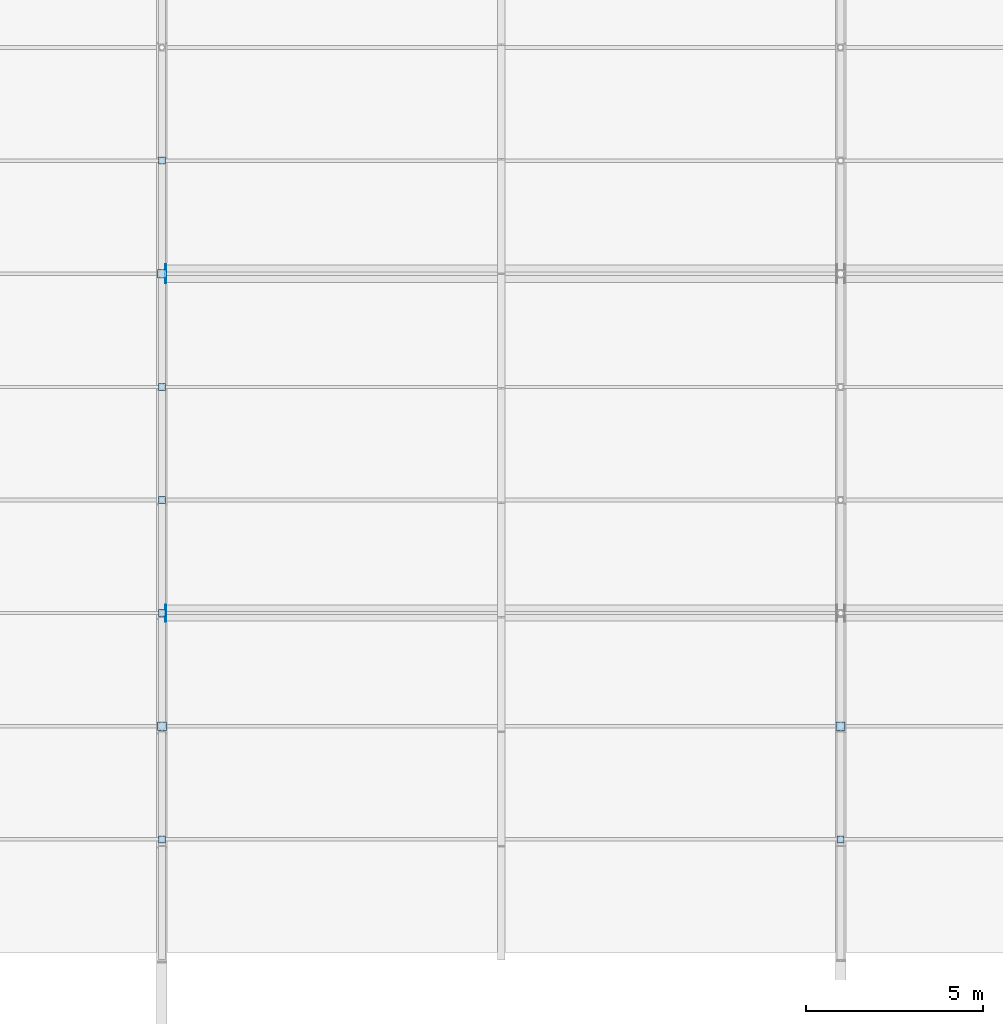
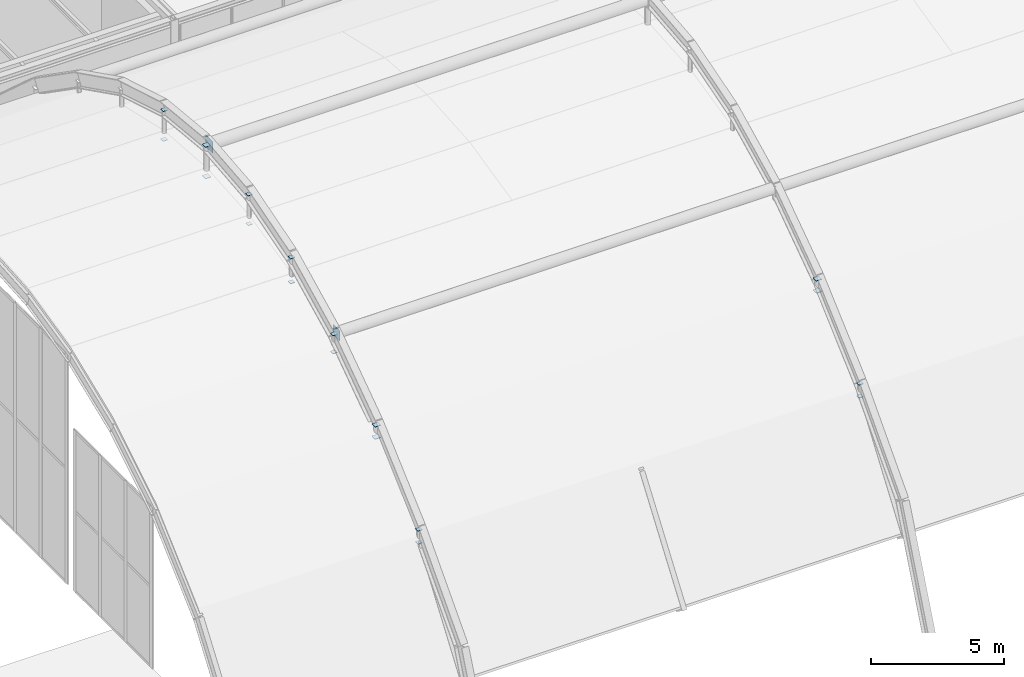
# One storey, part 111 of 126: 20 plates.
"""IFC4 building model written with IfcOpenShell, lengths in metres."""

from ifc_helpers import new_model, si_unit, direction, frame, origin, origin_2d, place, context, subcontext, project, spatial, rectangle, extrude, material, layer, layer_set, type_object, element, save


model = new_model("IFC4")

# Units and contexts
model_context = context("Model", 3, precision=1e-05, world=origin(), true_north=direction((0.0, 1.0)))
body_context = subcontext(model_context, "Body", "Model", "MODEL_VIEW")
ifc_project = project(units=[si_unit("LENGTHUNIT", "METRE"), si_unit("AREAUNIT", "SQUARE_METRE"), si_unit("VOLUMEUNIT", "CUBIC_METRE"), si_unit("PLANEANGLEUNIT", "RADIAN"), si_unit("MASSUNIT", "GRAM", prefix="KILO")], contexts=[model_context])

# Site, building, storey
site_placement = place(None, origin())
site = spatial("IfcSite", under=ifc_project, at=site_placement, CompositionType="ELEMENT")
building_placement = place(site_placement, origin())
building = spatial("IfcBuilding", under=site, at=building_placement, Name="Coralgate Yard Interchange", CompositionType="ELEMENT")
storey_placement = place(building_placement, frame((0.0, 0.0, 10.5)))
storey = spatial("IfcBuildingStorey", under=building, at=storey_placement, Name="L02", CompositionType="ELEMENT", Elevation=10.5)

# Plates
ifc_material = material(Name="Yellow-ochre weather-coated structural steel S355J2", Category="steel")
ifc_layer = layer(ifc_material, 0.02392578125)
ifc_layer_set = layer_set([ifc_layer], Name="Yellow-ochre weather-coated structural steel S355J2")
plate_type = type_object("IfcPlateType", Name="PLT-EP-24", PredefinedType="USERDEFINED", material=ifc_layer_set)
for number, where, z_axis, x_axis, name in (
    (1, (48.0, 41.60009765625, 5.11181640625), (0.0, 0.0, 1.0), (1.0, 0.0, 0.0), "Steel hollow section end cap plate CAP-HGR-1-01-T"),
    (2, (48.0, 41.60009765625, 4.5380859375), (0.0, 0.0, -1.0), (1.0, 0.0, 0.0), "Steel hollow section end cap plate CAP-HGR-1-01-B"),
):
    element("IfcPlate", number, at=place(storey_placement, frame(where, z_axis=z_axis, x_axis=x_axis)), inside=storey, type_object=plate_type, Name=name, ObjectType="CAP PLATE", PredefinedType="USERDEFINED", context=body_context, shape_type="SweptSolid", body=[
        extrude(rectangle(XDim=0.197998046875, YDim=0.197998046875, at=origin_2d()), origin(), (0.0, 0.0, 1.0), 0.02392578125),
    ])
for number, where, z_axis, x_axis, name in (
    (3, (48.0, 44.800048828125, 7.98681640625), (0.0, 0.0, 1.0), (1.0, 0.0, 0.0), "Steel hollow section end cap plate CAP-HGR-1-02-T"),
    (4, (48.0, 44.800048828125, 7.451171875), (0.0, 0.0, -1.0), (1.0, 0.0, 0.0), "Steel hollow section end cap plate CAP-HGR-1-02-B"),
):
    element("IfcPlate", number, at=place(storey_placement, frame(where, z_axis=z_axis, x_axis=x_axis)), inside=storey, type_object=plate_type, Name=name, ObjectType="CAP PLATE", PredefinedType="USERDEFINED", context=body_context, shape_type="SweptSolid", body=[
        extrude(rectangle(XDim=0.2490234375, YDim=0.2490234375, at=origin_2d()), origin(), (0.0, 0.0, 1.0), 0.02392578125),
    ])
for number, where, z_axis, x_axis, name in (
    (5, (48.0, 48.0, 10.22314453125), (0.0, 0.0, 1.0), (1.0, 0.0, 0.0), "Steel hollow section end cap plate CAP-HGR-1-03-T"),
    (6, (48.0, 48.0, 9.41455078125), (0.0, 0.0, -1.0), (1.0, 0.0, 0.0), "Steel hollow section end cap plate CAP-HGR-1-03-B"),
    (7, (48.0, 51.199951171875, 11.8203125), (0.0, 0.0, 1.0), (1.0, 0.0, 0.0), "Steel hollow section end cap plate CAP-HGR-1-04-T"),
    (8, (48.0, 51.199951171875, 10.7021484375), (0.0, 0.0, -1.0), (1.0, 0.0, 0.0), "Steel hollow section end cap plate CAP-HGR-1-04-B"),
    (9, (48.0, 54.39990234375, 12.778564453125), (0.0, 0.0, 1.0), (1.0, 0.0, 0.0), "Steel hollow section end cap plate CAP-HGR-1-05-T"),
    (10, (48.0, 54.39990234375, 11.437255859375), (0.0, 0.0, -1.0), (1.0, 0.0, 0.0), "Steel hollow section end cap plate CAP-HGR-1-05-B"),
):
    element("IfcPlate", number, at=place(storey_placement, frame(where, z_axis=z_axis, x_axis=x_axis)), inside=storey, type_object=plate_type, Name=name, ObjectType="CAP PLATE", PredefinedType="USERDEFINED", context=body_context, shape_type="SweptSolid", body=[
        extrude(rectangle(XDim=0.197998046875, YDim=0.197998046875, at=origin_2d()), origin(), (0.0, 0.0, 1.0), 0.02392578125),
    ])
for number, where, z_axis, x_axis, name in (
    (11, (48.0, 57.60009765625, 13.09814453125), (0.0, 0.0, 1.0), (1.0, 0.0, 0.0), "Steel hollow section end cap plate CAP-HGR-1-06-T"),
    (12, (48.0, 57.60009765625, 11.6767578125), (0.0, 0.0, -1.0), (1.0, 0.0, 0.0), "Steel hollow section end cap plate CAP-HGR-1-06-B"),
):
    element("IfcPlate", number, at=place(storey_placement, frame(where, z_axis=z_axis, x_axis=x_axis)), inside=storey, type_object=plate_type, Name=name, ObjectType="CAP PLATE", PredefinedType="USERDEFINED", context=body_context, shape_type="SweptSolid", body=[
        extrude(rectangle(XDim=0.2490234375, YDim=0.2490234375, at=origin_2d()), origin(), (0.0, 0.0, 1.0), 0.02392578125),
    ])
for number, where, z_axis, x_axis, name in (
    (13, (48.0, 60.800048828125, 12.778564453125), (0.0, 0.0, 1.0), (1.0, 0.0, 0.0), "Steel hollow section end cap plate CAP-HGR-1-07-T"),
    (14, (48.0, 60.800048828125, 11.437255859375), (0.0, 0.0, -1.0), (1.0, 0.0, 0.0), "Steel hollow section end cap plate CAP-HGR-1-07-B"),
    (15, (67.199951171875, 41.60009765625, 5.11181640625), (0.0, 0.0, 1.0), (1.0, 0.0, 0.0), "Steel hollow section end cap plate CAP-HGR-2-01-T"),
    (16, (67.199951171875, 41.60009765625, 4.5380859375), (0.0, 0.0, -1.0), (1.0, 0.0, 0.0), "Steel hollow section end cap plate CAP-HGR-2-01-B"),
):
    element("IfcPlate", number, at=place(storey_placement, frame(where, z_axis=z_axis, x_axis=x_axis)), inside=storey, type_object=plate_type, Name=name, ObjectType="CAP PLATE", PredefinedType="USERDEFINED", context=body_context, shape_type="SweptSolid", body=[
        extrude(rectangle(XDim=0.197998046875, YDim=0.197998046875, at=origin_2d()), origin(), (0.0, 0.0, 1.0), 0.02392578125),
    ])
for number, where, z_axis, x_axis, name in (
    (17, (67.199951171875, 44.800048828125, 7.98681640625), (0.0, 0.0, 1.0), (1.0, 0.0, 0.0), "Steel hollow section end cap plate CAP-HGR-2-02-T"),
    (18, (67.199951171875, 44.800048828125, 7.451171875), (0.0, 0.0, -1.0), (1.0, 0.0, 0.0), "Steel hollow section end cap plate CAP-HGR-2-02-B"),
):
    element("IfcPlate", number, at=place(storey_placement, frame(where, z_axis=z_axis, x_axis=x_axis)), inside=storey, type_object=plate_type, Name=name, ObjectType="CAP PLATE", PredefinedType="USERDEFINED", context=body_context, shape_type="SweptSolid", body=[
        extrude(rectangle(XDim=0.2490234375, YDim=0.2490234375, at=origin_2d()), origin(), (0.0, 0.0, 1.0), 0.02392578125),
    ])
plate_1_placement = place(storey_placement, frame((48.1220703125, 57.60009765625, 13.1201171875), z_axis=(-1.0, 0.0, 0.0), x_axis=(0.0, -1.0, 0.0)))
element("IfcPlate", 19, at=plate_1_placement, inside=storey, type_object=plate_type, Name="Steel hollow section end cap plate CAP-ATIE-1-C-0", ObjectType="CAP PLATE", PredefinedType="USERDEFINED", context=body_context, shape_type="SweptSolid", body=[
    extrude(rectangle(XDim=0.5380859375, YDim=0.5380859375, at=origin_2d()), origin(), (0.0, 0.0, 1.0), 0.02392578125),
])
plate_2_placement = place(storey_placement, frame((48.1220703125, 48.0, 10.25), z_axis=(-1.0, 0.0, 0.0), x_axis=(0.0, -1.0, 0.0)))
element("IfcPlate", 20, at=plate_2_placement, inside=storey, type_object=plate_type, Name="Steel hollow section end cap plate CAP-ATIE-1-S-0", ObjectType="CAP PLATE", PredefinedType="USERDEFINED", context=body_context, shape_type="SweptSolid", body=[
    extrude(rectangle(XDim=0.487060546875, YDim=0.487060546875, at=origin_2d()), origin(), (0.0, 0.0, 1.0), 0.02392578125),
])

save(model, "model.ifc")
